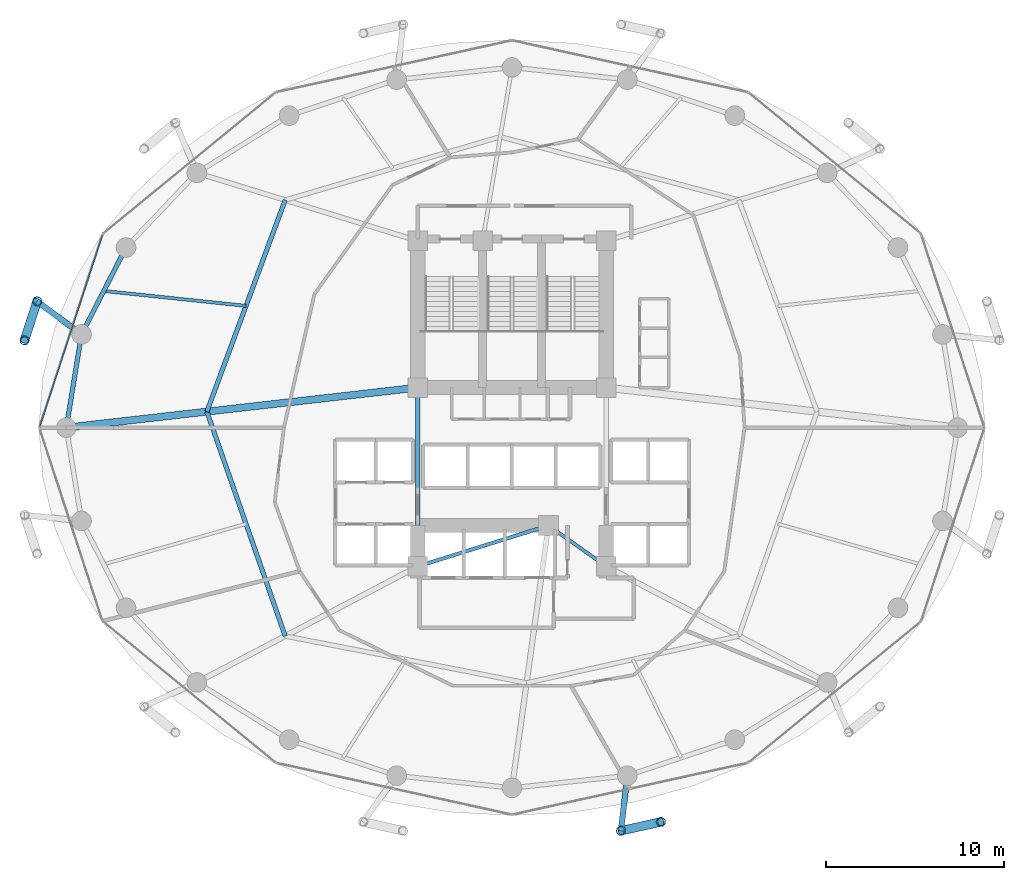
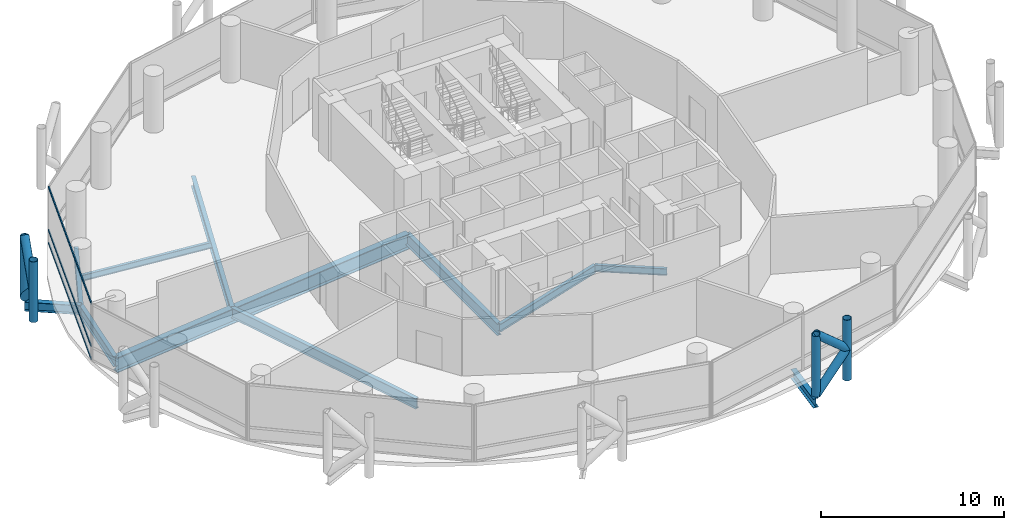
# One storey, part 7 of 24: 11 beams, 11 members, 1 element without a shape of its own.
"""IFC4 building model written with IfcOpenShell, lengths in metres."""

from ifc_helpers import new_model, si_unit, direction, frame, origin, origin_2d, place, context, subcontext, project, spatial, hollow_rectangle, hollow_circle, i_section, extrude, material, layer, layer_set, material_profile, profile_set, type_object, element, aggregate, save


model = new_model("IFC4")

# Units and contexts
model_context = context("Model", 3, precision=1e-05, world=origin(), true_north=direction((0.0, 1.0)))
body_context = subcontext(model_context, "Body", "Model", "MODEL_VIEW")
ifc_project = project(units=[si_unit("LENGTHUNIT", "METRE"), si_unit("AREAUNIT", "SQUARE_METRE"), si_unit("VOLUMEUNIT", "CUBIC_METRE"), si_unit("PLANEANGLEUNIT", "RADIAN"), si_unit("MASSUNIT", "GRAM", prefix="KILO")], contexts=[model_context])

# Site, building, storey
site_placement = place(None, origin())
site = spatial("IfcSite", under=ifc_project, at=site_placement, CompositionType="ELEMENT")
building_placement = place(site_placement, origin())
building = spatial("IfcBuilding", under=site, at=building_placement, Name="Nuhasar Tower", CompositionType="ELEMENT")
storey_placement = place(building_placement, frame((0.0, 0.0, 29.10009765625)))
storey = spatial("IfcBuildingStorey", under=building, at=storey_placement, Name="L06", CompositionType="ELEMENT", Elevation=29.10009765625)

# Beams
ifc_material_1 = material(Name="Steel S355", Category="steel")
ifc_material_profile_1 = material_profile(ifc_material_1, i_section(OverallWidth=0.25390625, OverallDepth=0.68408203125, WebThickness=0.012451171875, FlangeThickness=0.018798828125, at=origin_2d()), Name="W27X94")
ifc_profile_set_1 = profile_set([ifc_material_profile_1], Name="Steel S355")
beam_type_1 = type_object("IfcBeamType", Name="BM-INRING-W27X94", PredefinedType="BEAM", material=ifc_profile_set_1)
beam_1_placement = place(storey_placement, frame((26.251953125, 39.591064453125, -0.60205078125), z_axis=(-0.34715757476, -0.937806812881, 0.0), x_axis=(0.937806812881, -0.34715757476, 0.0)))
element("IfcBeam", 1, at=beam_1_placement, inside=storey, type_object=beam_type_1, Name="L06 Inner Header Beam 07", PredefinedType="BEAM", context=body_context, shape_type="SweptSolid", body=[
    extrude(i_section(OverallWidth=0.25390625, OverallDepth=0.68408203125, WebThickness=0.012451171875, FlangeThickness=0.018798828125, at=origin_2d()), origin(), (0.0, 0.0, 1.0), 12.6796875),
])
beam_2_placement = place(storey_placement, frame((21.85009765625, 27.699951171875, -0.60205078125), z_axis=(0.329554049858, -0.944136710558, 0.0), x_axis=(0.944136710558, 0.329554049858, 0.0)))
element("IfcBeam", 2, at=beam_2_placement, inside=storey, type_object=beam_type_1, Name="L06 Inner Header Beam 08", PredefinedType="BEAM", context=body_context, shape_type="SweptSolid", body=[
    extrude(i_section(OverallWidth=0.25390625, OverallDepth=0.68408203125, WebThickness=0.012451171875, FlangeThickness=0.018798828125, at=origin_2d()), origin(), (0.0, 0.0, 1.0), 13.35693359375),
])
ifc_material_profile_2 = material_profile(ifc_material_1, i_section(OverallWidth=0.177978515625, OverallDepth=0.406005859375, WebThickness=0.0078125, FlangeThickness=0.0126953125, at=origin_2d()), Name="W16X40")
ifc_profile_set_2 = profile_set([ifc_material_profile_2], Name="Steel S355")
beam_type_2 = type_object("IfcBeamType", Name="BM-JST-W16X40", PredefinedType="JOIST", material=ifc_profile_set_2)
beam_3_placement = place(storey_placement, frame((24.051025390625, 33.64501953125, -0.463134765625), z_axis=(-0.994554594377, 0.104216883485, 0.0), x_axis=(-0.104216883485, -0.994554594377, 0.0)))
element("IfcBeam", 3, at=beam_3_placement, inside=storey, type_object=beam_type_2, Name="L06 Secondary Floor Joist 07", PredefinedType="JOIST", context=body_context, shape_type="SweptSolid", body=[
    extrude(i_section(OverallWidth=0.177978515625, OverallDepth=0.406005859375, WebThickness=0.0078125, FlangeThickness=0.0126953125, at=origin_2d()), origin(), (0.0, 0.0, 1.0), 8.039794921875),
])
ifc_material_profile_3 = material_profile(ifc_material_1, i_section(OverallWidth=0.18994140625, OverallDepth=0.45703125, WebThickness=0.009033203125, FlangeThickness=0.014404296875, at=origin_2d()), Name="W18X50")
ifc_profile_set_3 = profile_set([ifc_material_profile_3], Name="Steel S355")
beam_type_3 = type_object("IfcBeamType", Name="BM-RAD-W18X50", PredefinedType="BEAM", material=ifc_profile_set_3)
beam_4_placement = place(storey_placement, frame((41.050048828125, 21.300048828125, -0.489013671875), z_axis=(0.816265428953, -0.577677028708, 0.0), x_axis=(0.577677028708, 0.816265428953, 0.0)))
element("IfcBeam", 4, at=beam_4_placement, inside=storey, type_object=beam_type_3, Name="L06 Core Ring Girder 2", PredefinedType="BEAM", context=body_context, shape_type="SweptSolid", body=[
    extrude(i_section(OverallWidth=0.18994140625, OverallDepth=0.45703125, WebThickness=0.009033203125, FlangeThickness=0.014404296875, at=origin_2d()), origin(), (0.0, 0.0, 1.0), 3.9814453125),
])
ifc_material_profile_4 = material_profile(ifc_material_1, i_section(OverallWidth=0.208984375, OverallDepth=0.532958984375, WebThickness=0.01025390625, FlangeThickness=0.015625, at=origin_2d()), Name="W21X62")
ifc_profile_set_4 = profile_set([ifc_material_profile_4], Name="Steel S355")
beam_type_4 = type_object("IfcBeamType", Name="BM-RAD-W21X62", PredefinedType="BEAM", material=ifc_profile_set_4)
beam_5_placement = place(storey_placement, frame((33.699951171875, 19.0, -0.527099609375), z_axis=(0.954363709454, 0.298646798205, 0.0), x_axis=(-0.298646798205, 0.954363709454, 0.0)))
element("IfcBeam", 5, at=beam_5_placement, inside=storey, type_object=beam_type_4, Name="L06 Core Ring Girder 1", PredefinedType="BEAM", context=body_context, shape_type="SweptSolid", body=[
    extrude(i_section(OverallWidth=0.208984375, OverallDepth=0.532958984375, WebThickness=0.01025390625, FlangeThickness=0.015625, at=origin_2d()), origin(), (0.0, 0.0, 1.0), 7.70166015625),
])
ifc_material_profile_5 = material_profile(ifc_material_1, i_section(OverallWidth=0.26611328125, OverallDepth=0.779052734375, WebThickness=0.0166015625, FlangeThickness=0.030029296875, at=origin_2d()), Name="W30X148")
ifc_profile_set_5 = profile_set([ifc_material_profile_5], Name="Steel S355")
beam_type_5 = type_object("IfcBeamType", Name="BM-RAD-W30X148", PredefinedType="BEAM", material=ifc_profile_set_5)
beam_6_placement = place(storey_placement, frame((33.699951171875, 29.050048828125, -0.650146484375), z_axis=(0.0, -1.0, 0.0), x_axis=(1.0, 0.0, 0.0)))
element("IfcBeam", 6, at=beam_6_placement, inside=storey, type_object=beam_type_5, Name="L06 Core Ring Girder 8", PredefinedType="BEAM", context=body_context, shape_type="SweptSolid", body=[
    extrude(i_section(OverallWidth=0.26611328125, OverallDepth=0.779052734375, WebThickness=0.0166015625, FlangeThickness=0.030029296875, at=origin_2d()), origin(), (0.0, 0.0, 1.0), 10.050048828125),
])
ifc_material_profile_6 = material_profile(ifc_material_1, i_section(OverallWidth=0.256103515625, OverallDepth=0.693115234375, WebThickness=0.014404296875, FlangeThickness=0.023681640625, at=origin_2d()), Name="W27X114")
ifc_profile_set_6 = profile_set([ifc_material_profile_6], Name="Steel S355")
beam_type_6 = type_object("IfcBeamType", Name="BM-RING-W27X114", PredefinedType="SPANDREL", material=ifc_profile_set_6)
beam_7_placement = place(storey_placement, frame((17.305908203125, 36.925048828125, -0.606201171875), z_axis=(-0.455930023905, -0.890015625314, 0.0), x_axis=(0.890015625314, -0.455930023905, 0.0)))
element("IfcBeam", 7, at=beam_7_placement, inside=storey, type_object=beam_type_6, Name="L06 Perimeter Ring Spandrel 11", PredefinedType="SPANDREL", context=body_context, shape_type="SweptSolid", body=[
    extrude(i_section(OverallWidth=0.256103515625, OverallDepth=0.693115234375, WebThickness=0.014404296875, FlangeThickness=0.023681640625, at=origin_2d()), origin(), (0.0, 0.0, 1.0), 5.487548828125),
])
beam_8_placement = place(storey_placement, frame((14.803955078125, 32.041015625, -0.606201171875), z_axis=(-0.160826635486, -0.986982671235, 0.0), x_axis=(0.986982671235, -0.160826635486, 0.0)))
element("IfcBeam", 8, at=beam_8_placement, inside=storey, type_object=beam_type_6, Name="L06 Perimeter Ring Spandrel 12", PredefinedType="SPANDREL", context=body_context, shape_type="SweptSolid", body=[
    extrude(i_section(OverallWidth=0.256103515625, OverallDepth=0.693115234375, WebThickness=0.014404296875, FlangeThickness=0.023681640625, at=origin_2d()), origin(), (0.0, 0.0, 1.0), 5.31005859375),
])
ifc_material_profile_7 = material_profile(ifc_material_1, i_section(OverallWidth=0.323974609375, OverallDepth=0.611083984375, WebThickness=0.0126953125, FlangeThickness=0.01904296875, at=origin_2d()), Name="W24X104")
ifc_profile_set_7 = profile_set([ifc_material_profile_7], Name="Steel S355")
beam_type_7 = type_object("IfcBeamType", Name="BM-TIE-W24X104", PredefinedType="BEAM", material=ifc_profile_set_7)
beam_9_placement = place(storey_placement, frame((14.803955078125, 32.041015625, -0.565185546875), z_axis=(-0.802151061326, 0.597121155892, 0.0), x_axis=(-0.597121155892, -0.802151061326, 0.0)))
element("IfcBeam", 9, at=beam_9_placement, inside=storey, type_object=beam_type_7, Name="L06 Exoskeleton Node Tie Beam 06", PredefinedType="BEAM", context=body_context, shape_type="SweptSolid", body=[
    extrude(i_section(OverallWidth=0.323974609375, OverallDepth=0.611083984375, WebThickness=0.0126953125, FlangeThickness=0.01904296875, at=origin_2d()), origin(), (0.0, 0.0, 1.0), 3.111328125),
])
beam_10_placement = place(storey_placement, frame((45.48291015625, 7.239990234375, -0.565185546875), z_axis=(-0.115042934281, -0.993360520291, 0.0), x_axis=(0.993360520291, -0.115042934281, 0.0)))
element("IfcBeam", 10, at=beam_10_placement, inside=storey, type_object=beam_type_7, Name="L06 Exoskeleton Node Tie Beam 10", PredefinedType="BEAM", context=body_context, shape_type="SweptSolid", body=[
    extrude(i_section(OverallWidth=0.323974609375, OverallDepth=0.611083984375, WebThickness=0.0126953125, FlangeThickness=0.01904296875, at=origin_2d()), origin(), (0.0, 0.0, 1.0), 3.11962890625),
])
ifc_material_2 = material(Name="Steel S460", Category="steel")
ifc_material_profile_8 = material_profile(ifc_material_2, i_section(OverallWidth=0.40087890625, OverallDepth=1.010009765625, WebThickness=0.023681640625, FlangeThickness=0.0419921875, at=origin_2d()), Name="W40X297")
ifc_profile_set_8 = profile_set([ifc_material_profile_8], Name="Steel S460")
beam_type_8 = type_object("IfcBeamType", Name="BM-XFER-W40X297", PredefinedType="USERDEFINED", material=ifc_profile_set_8)
beam_11_placement = place(storey_placement, frame((33.699951171875, 29.050048828125, -0.76513671875), z_axis=(-0.993573147212, -0.113191877531, 0.0), x_axis=(0.113191877531, -0.993573147212, 0.0)))
element("IfcBeam", 11, at=beam_11_placement, inside=storey, type_object=beam_type_8, Name="L06 Radial Floor Girder 08", ObjectType="GIRDER", PredefinedType="USERDEFINED", context=body_context, shape_type="SweptSolid", body=[
    extrude(i_section(OverallWidth=0.40087890625, OverallDepth=1.010009765625, WebThickness=0.023681640625, FlangeThickness=0.0419921875, at=origin_2d()), origin(), (0.0, 0.0, 1.0), 19.877685546875),
])

# Curtain wall, members
ifc_material_3 = material(Name="Aluminium 6063-T6", Category="aluminium")
ifc_layer = layer(ifc_material_3, 0.199951171875)
ifc_layer_set = layer_set([ifc_layer], Name="Aluminium 6063-T6")
curtain_wall_type = type_object("IfcCurtainWallType", Name="CW-Z1-OFF", PredefinedType="NOTDEFINED", material=ifc_layer_set)
curtain_wall_placement = place(storey_placement, origin())
curtain_wall = element("IfcCurtainWall", 12, at=curtain_wall_placement, inside=storey, type_object=curtain_wall_type, Name="L06 Unitised Curtain Wall 06", PredefinedType="NOTDEFINED")
ifc_material_profile_9 = material_profile(ifc_material_3, hollow_rectangle(XDim=0.06494140625, YDim=0.14990234375, WallThickness=0.00439453125, at=origin_2d()), Name="CWT-2")
ifc_profile_set_9 = profile_set([ifc_material_profile_9], Name="Aluminium 6063-T6")
member_type_1 = type_object("IfcMemberType", Name="CW-TRN-S2", PredefinedType="USERDEFINED", material=ifc_profile_set_9)
member_1_placement = place(storey_placement, frame((15.977783203125, 37.6181640625, 0.032470703125), z_axis=(-0.31082506089, -0.950467138581, 0.0), x_axis=(0.950467138581, -0.31082506089, 0.0)))
member_1 = element("IfcMember", 13, at=member_1_placement, type_object=member_type_1, Name="CW-Z1 transom 1.1", ObjectType="TRANSOM", PredefinedType="USERDEFINED", context=body_context, shape_type="SweptSolid", body=[
    extrude(hollow_rectangle(XDim=0.06494140625, YDim=0.14990234375, WallThickness=0.00439453125, at=origin_2d()), origin(), (0.0, 0.0, 1.0), 11.31689453125),
])
member_2_placement = place(storey_placement, frame((15.977783203125, 37.6181640625, 0.89990234375), z_axis=(-0.31082506089, -0.950467138581, 0.0), x_axis=(0.950467138581, -0.31082506089, 0.0)))
member_2 = element("IfcMember", 14, at=member_2_placement, type_object=member_type_1, Name="CW-Z1 transom 1.2", ObjectType="TRANSOM", PredefinedType="USERDEFINED", context=body_context, shape_type="SweptSolid", body=[
    extrude(hollow_rectangle(XDim=0.06494140625, YDim=0.14990234375, WallThickness=0.00439453125, at=origin_2d()), origin(), (0.0, 0.0, 1.0), 11.31689453125),
])
member_3_placement = place(storey_placement, frame((15.977783203125, 37.6181640625, 3.75732421875), z_axis=(-0.31082506089, -0.950467138581, 0.0), x_axis=(0.950467138581, -0.31082506089, 0.0)))
member_3 = element("IfcMember", 15, at=member_3_placement, type_object=member_type_1, Name="CW-Z1 transom 1.3", ObjectType="TRANSOM", PredefinedType="USERDEFINED", context=body_context, shape_type="SweptSolid", body=[
    extrude(hollow_rectangle(XDim=0.06494140625, YDim=0.14990234375, WallThickness=0.00439453125, at=origin_2d()), origin(), (0.0, 0.0, 1.0), 11.31689453125),
])
aggregate(curtain_wall, [member_1, member_2, member_3])

# Members
ifc_material_profile_10 = material_profile(ifc_material_2, hollow_circle(Radius=0.25390625, WallThickness=0.025390625, at=origin_2d()), Name="HSS508X25.4")
ifc_profile_set_10 = profile_set([ifc_material_profile_10], Name="Steel S460")
member_type_2 = type_object("IfcMemberType", Name="EXO-BRONZE-508", PredefinedType="BRACE", material=ifc_profile_set_10)
for number, where, z_axis, x_axis, name in (
    (16, (12.30810546875, 33.89892578125, 0.0), (0.0, 0.0, 1.0), (1.0, 0.0, 0.0), "L06 Exoskeleton Chord Column EC-06A"),
    (17, (11.60009765625, 31.7099609375, 0.0), (0.0, 0.0, 1.0), (1.0, 0.0, 0.0), "L06 Exoskeleton Chord Column EC-06B"),
    (18, (45.1240234375, 4.14111328125, 0.0), (0.0, 0.0, 1.0), (1.0, 0.0, 0.0), "L06 Exoskeleton Chord Column EC-10A"),
    (19, (47.3701171875, 4.639892578125, 0.0), (0.0, 0.0, 1.0), (1.0, 0.0, 0.0), "L06 Exoskeleton Chord Column EC-10B"),
):
    element("IfcMember", number, at=place(storey_placement, frame(where, z_axis=z_axis, x_axis=x_axis)), inside=storey, type_object=member_type_2, Name=name, PredefinedType="BRACE", context=body_context, shape_type="SweptSolid", body=[
        extrude(hollow_circle(Radius=0.25390625, WallThickness=0.025390625, at=origin_2d()), origin(), (0.0, 0.0, 1.0), 4.0498046875),
    ])
for number, where, z_axis, x_axis, name in (
    (20, (12.30810546875, 33.89892578125, 0.0), (-0.231011836313, -0.714224870475, 0.660693851854), (0.951468282519, -0.307746823478, 0.0), "L06 Bronze Diagrid Brace W1-06"),
    (21, (11.60009765625, 31.7099609375, 2.02490234375), (0.231011836313, 0.714224870475, 0.660693851854), (-0.951468282519, 0.307746823478, 0.0), "L06 Bronze Diagrid Brace W2-06"),
):
    element("IfcMember", number, at=place(storey_placement, frame(where, z_axis=z_axis, x_axis=x_axis)), inside=storey, type_object=member_type_2, Name=name, PredefinedType="BRACE", context=body_context, shape_type="SweptSolid", body=[
        extrude(hollow_circle(Radius=0.25390625, WallThickness=0.025390625, at=origin_2d()), origin(), (0.0, 0.0, 1.0), 3.064697265625),
    ])
for number, where, z_axis, x_axis, name in (
    (22, (45.1240234375, 4.14111328125, 0.0), (0.732830973624, 0.162736269469, 0.66066305383), (-0.216784396973, 0.976219506683, 0.0), "L06 Bronze Diagrid Brace W1-10"),
    (23, (47.3701171875, 4.639892578125, 2.02490234375), (-0.732830973624, -0.162736269469, 0.66066305383), (0.216784396973, -0.976219506683, 0.0), "L06 Bronze Diagrid Brace W2-10"),
):
    element("IfcMember", number, at=place(storey_placement, frame(where, z_axis=z_axis, x_axis=x_axis)), inside=storey, type_object=member_type_2, Name=name, PredefinedType="BRACE", context=body_context, shape_type="SweptSolid", body=[
        extrude(hollow_circle(Radius=0.25390625, WallThickness=0.025390625, at=origin_2d()), origin(), (0.0, 0.0, 1.0), 3.06494140625),
    ])

save(model, "model.ifc")
